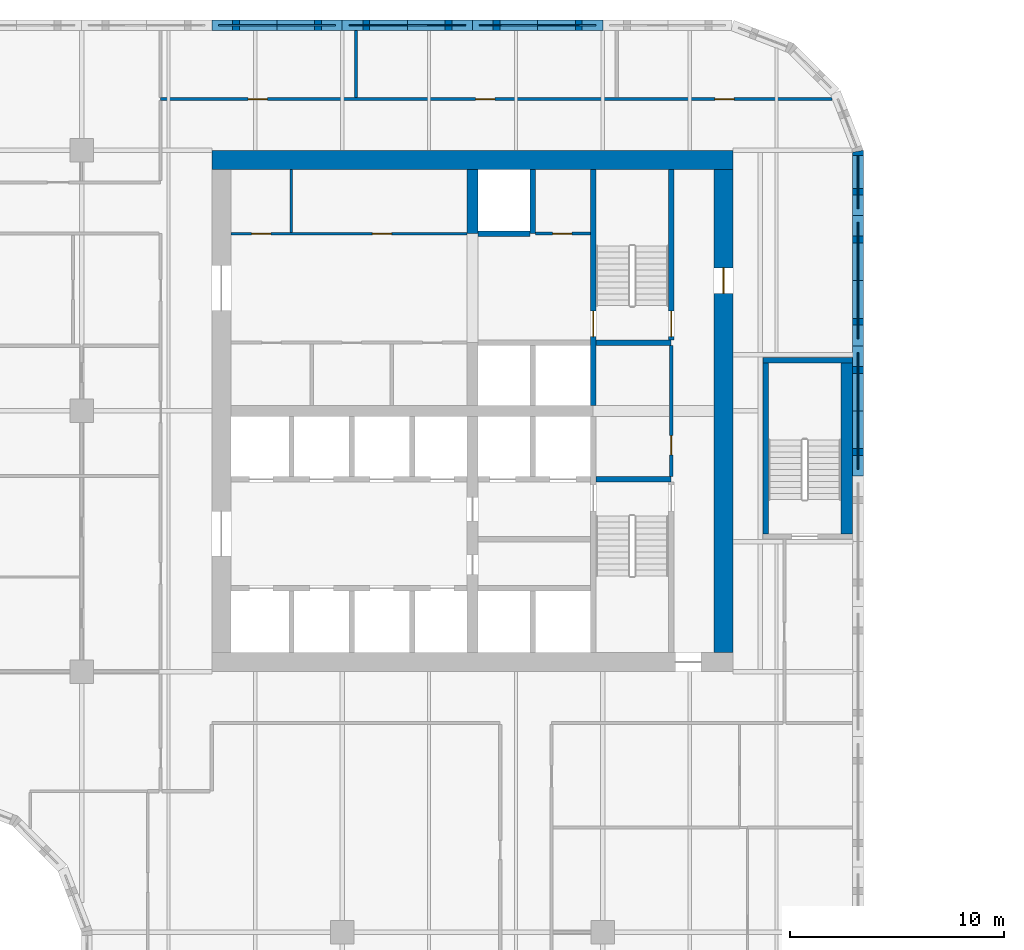
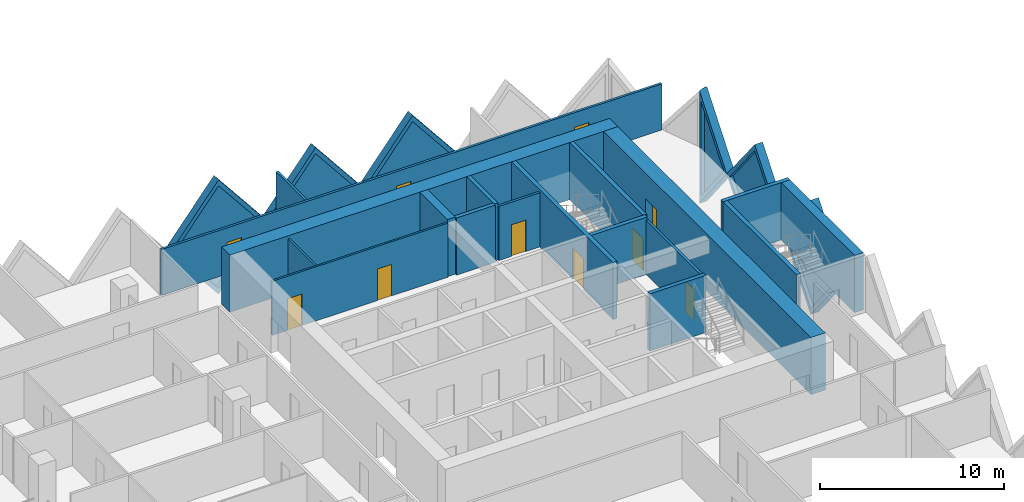
# One storey, part 10 of 20: 24 walls, 10 doors, 6 plates, 16 openings.
"""IFC4 building model written with IfcOpenShell, lengths in metres."""

from ifc_helpers import new_model, si_unit, direction, frame, frame_2d, origin, place, context, subcontext, project, spatial, polyline, rectangle, outline, extrude, faceted_brep, source, transform, mapped, material, layer, layer_set, type_object, element, fill, save


model = new_model("IFC4")

# Units and contexts
model_context = context("Model", 3, precision=1e-05, world=origin(), true_north=direction((0.0, 1.0)))
body_context = subcontext(model_context, "Body", "Model", "MODEL_VIEW")
ifc_project = project(units=[si_unit("LENGTHUNIT", "METRE"), si_unit("AREAUNIT", "SQUARE_METRE"), si_unit("VOLUMEUNIT", "CUBIC_METRE"), si_unit("PLANEANGLEUNIT", "RADIAN"), si_unit("MASSUNIT", "GRAM", prefix="KILO")], contexts=[model_context])

# Site, building, storey
site_placement = place(None, origin())
site = spatial("IfcSite", under=ifc_project, at=site_placement, CompositionType="ELEMENT")
building_placement = place(site_placement, origin())
building = spatial("IfcBuilding", under=site, at=building_placement, Name="Tessera Gate Towers", CompositionType="ELEMENT")
storey_placement = place(building_placement, frame((0.0, 0.0, 52.39990234375)))
storey = spatial("IfcBuildingStorey", under=building, at=storey_placement, Name="L12", CompositionType="ELEMENT", Elevation=52.39990234375)

# Wall, opening, door
ifc_material_1 = material(Name="Concrete C40/50", Category="concrete")
ifc_layer_1 = layer(ifc_material_1, 0.25)
ifc_layer_set_1 = layer_set([ifc_layer_1], Name="CORE ENCLOSURE WALL 250")
wall_type_1 = type_object("IfcWallType", Name="CORE ENCLOSURE WALL 250", PredefinedType="SOLIDWALL", material=ifc_layer_set_1)
wall_1_placement = place(storey_placement, frame((48.35009765625, 47.89990234375, 0.0), z_axis=(0.0, 0.0, 1.0), x_axis=(0.0, -1.0, 0.0)))
wall_1 = element("IfcWall", 1, at=wall_1_placement, inside=storey, type_object=wall_type_1, Name="L12 shaft and stair enclosure wall", PredefinedType="SOLIDWALL", context=body_context, shape_type="SweptSolid", body=[
    extrude(rectangle(XDim=11.0498046875, YDim=0.25, at=frame_2d((5.52490234375, 0.0))), origin(), (0.0, 0.0, 1.0), 3.800048828125),
])
shared_shape_1 = source(origin(), body_context, "Body", "SweptSolid", [
    extrude(rectangle(XDim=1.199951171875, YDim=2.10009765625, at=frame_2d((0.60009765625, 1.050048828125))), frame((0.0, 0.135009765625, 0.0), z_axis=(0.0, -1.0, 0.0), x_axis=(1.0, 0.0, 0.0)), (0.0, 0.0, 1.0), 0.27001953125),
])
opening_1_placement = place(wall_1_placement, frame((6.625, 0.0, 0.0)))
opening_1 = element("IfcOpeningElement", 2, at=opening_1_placement, cuts=wall_1, Name="Opening SD-ST2-1", PredefinedType="OPENING", context=body_context, shape_type="MappedRepresentation", body=[
    mapped(shared_shape_1, transform((0.0, 0.0, 0.0), scale=1.0)),
])
ifc_material_2 = material(Name="Hollow steel fire door", Category="steel")
door_type_1 = type_object("IfcDoorType", Name="CORE DOOR SD 1200x2100", OperationType="NOTDEFINED", PredefinedType="DOOR", material=ifc_material_2)
shared_shape_2 = source(origin(), body_context, "Body", "SweptSolid", [
    extrude(rectangle(XDim=1.199951171875, YDim=2.10009765625, at=frame_2d((0.60009765625, 1.050048828125))), frame((0.0, 0.02490234375, 0.0), z_axis=(0.0, -1.0, 0.0), x_axis=(1.0, 0.0, 0.0)), (0.0, 0.0, 1.0), 0.050048828125),
])
door_1_placement = place(opening_1_placement, origin())
door_1 = element("IfcDoor", 3, at=door_1_placement, inside=storey, type_object=door_type_1, Name="Stair door", OperationType="SINGLE_SWING_RIGHT", OverallHeight=2.10009765625, OverallWidth=1.199951171875, PredefinedType="DOOR", context=body_context, shape_type="MappedRepresentation", body=[
    mapped(shared_shape_2, transform((0.0, 0.0, 0.0), scale=1.0)),
])
fill(opening_1, door_1)

# Walls
for number, where, z_axis, x_axis, name in (
    (4, (48.47509765625, 33.39990234375, 0.0), (0.0, 0.0, 1.0), (1.0, 0.0, 0.0), "L12 shaft and stair enclosure wall"),
    (5, (48.47509765625, 39.800048828125, 0.0), (0.0, 0.0, 1.0), (1.0, 0.0, 0.0), "L12 shaft and stair enclosure wall"),
):
    element("IfcWall", number, at=place(storey_placement, frame(where, z_axis=z_axis, x_axis=x_axis)), inside=storey, type_object=wall_type_1, Name=name, PredefinedType="SOLIDWALL", context=body_context, shape_type="SweptSolid", body=[
        extrude(rectangle(XDim=3.52490234375, YDim=0.25, at=frame_2d((1.762451171875, 0.0))), origin(), (0.0, 0.0, 1.0), 3.800048828125),
    ])

# Wall, opening, door
wall_2_placement = place(storey_placement, frame((52.0, 39.925048828125, 0.0), z_axis=(0.0, 0.0, 1.0), x_axis=(0.0, 1.0, 0.0)))
wall_2 = element("IfcWall", 6, at=wall_2_placement, inside=storey, type_object=wall_type_1, Name="L12 shaft and stair enclosure wall", PredefinedType="SOLIDWALL", context=body_context, shape_type="SweptSolid", body=[
    extrude(rectangle(XDim=7.974853515625, YDim=0.25, at=frame_2d((3.9873046875, 0.0))), origin(), (0.0, 0.0, 1.0), 3.800048828125),
])
opening_2_placement = place(wall_2_placement, frame((0.14990234375, 0.0, 0.0)))
opening_2 = element("IfcOpeningElement", 7, at=opening_2_placement, cuts=wall_2, Name="Opening SD-ST2-2", PredefinedType="OPENING", context=body_context, shape_type="MappedRepresentation", body=[
    mapped(shared_shape_1, transform((0.0, 0.0, 0.0), scale=1.0)),
])
door_2_placement = place(opening_2_placement, origin())
door_2 = element("IfcDoor", 8, at=door_2_placement, inside=storey, type_object=door_type_1, Name="Stair door", OperationType="SINGLE_SWING_LEFT", OverallHeight=2.10009765625, OverallWidth=1.199951171875, PredefinedType="DOOR", context=body_context, shape_type="MappedRepresentation", body=[
    mapped(shared_shape_2, transform((0.0, 0.0, 0.0), scale=1.0)),
])
fill(opening_2, door_2)

# Walls
wall_3_placement = place(storey_placement, frame((45.52490234375, 44.89990234375, 0.0), z_axis=(0.0, 0.0, 1.0), x_axis=(0.0, 1.0, 0.0)))
element("IfcWall", 9, at=wall_3_placement, inside=storey, type_object=wall_type_1, Name="L12 shaft and stair enclosure wall", PredefinedType="SOLIDWALL", context=body_context, shape_type="SweptSolid", body=[
    extrude(rectangle(XDim=3.0, YDim=0.25, at=frame_2d((1.5, 0.0))), origin(), (0.0, 0.0, 1.0), 3.800048828125),
])
wall_4_placement = place(storey_placement, frame((42.949951171875, 44.89990234375, 0.0), z_axis=(0.0, 0.0, 1.0), x_axis=(1.0, 0.0, 0.0)))
element("IfcWall", 10, at=wall_4_placement, inside=storey, type_object=wall_type_1, Name="L12 shaft and stair enclosure wall", PredefinedType="SOLIDWALL", context=body_context, shape_type="SweptSolid", body=[
    extrude(rectangle(XDim=2.449951171875, YDim=0.25, at=frame_2d((1.22509765625, 0.0))), origin(), (0.0, 0.0, 1.0), 3.800048828125),
])
wall_5_placement = place(storey_placement, frame((56.425048828125, 30.85009765625, 0.0), z_axis=(0.0, 0.0, 1.0), x_axis=(0.0, 1.0, 0.0)))
element("IfcWall", 11, at=wall_5_placement, inside=storey, type_object=wall_type_1, Name="L12 ST5 enclosure wall", PredefinedType="SOLIDWALL", context=body_context, shape_type="SweptSolid", body=[
    extrude(rectangle(XDim=8.0, YDim=0.25, at=frame_2d((4.0, 0.0))), origin(), (0.0, 0.0, 1.0), 3.800048828125),
])
wall_6_placement = place(storey_placement, frame((56.300048828125, 38.97509765625, 0.0), z_axis=(0.0, 0.0, 1.0), x_axis=(1.0, 0.0, 0.0)))
element("IfcWall", 12, at=wall_6_placement, inside=storey, type_object=wall_type_1, Name="L12 ST5 enclosure wall", PredefinedType="SOLIDWALL", context=body_context, shape_type="SweptSolid", body=[
    extrude(rectangle(XDim=4.199951171875, YDim=0.25, at=frame_2d((2.10009765625, 0.0))), origin(), (0.0, 0.0, 1.0), 3.800048828125),
])
ifc_material_3 = material(Name="Concrete C40/50", Category="concrete")
ifc_layer_2 = layer(ifc_material_3, 0.550048828125)
ifc_layer_set_2 = layer_set([ifc_layer_2], Name="CORE ENCLOSURE WALL 550")
wall_type_2 = type_object("IfcWallType", Name="CORE ENCLOSURE WALL 550", PredefinedType="SOLIDWALL", material=ifc_layer_set_2)
wall_7_placement = place(storey_placement, frame((60.22509765625, 38.85009765625, 0.0), z_axis=(0.0, 0.0, 1.0), x_axis=(0.0, -1.0, 0.0)))
element("IfcWall", 13, at=wall_7_placement, inside=storey, type_object=wall_type_2, Name="L12 ST5 enclosure wall", PredefinedType="SOLIDWALL", context=body_context, shape_type="SweptSolid", body=[
    extrude(rectangle(XDim=8.0, YDim=0.550048828125, at=frame_2d((4.0, 0.0))), origin(), (0.0, 0.0, 1.0), 3.800048828125),
])

# Wall, openings, doors
ifc_material_4 = material(Name="Gypsum board on steel studs", Category="steel")
ifc_layer_3 = layer(ifc_material_4, 0.1201171875)
ifc_layer_set_3 = layer_set([ifc_layer_3], Name="CORE PARTITION 120")
wall_type_3 = type_object("IfcWallType", Name="CORE PARTITION 120", PredefinedType="PARTITIONING", material=ifc_layer_set_3)
wall_8_placement = place(storey_placement, frame((31.39990234375, 44.89990234375, 0.0), z_axis=(0.0, 0.0, 1.0), x_axis=(1.0, 0.0, 0.0)))
wall_8 = element("IfcWall", 14, at=wall_8_placement, inside=storey, type_object=wall_type_3, Name="L12 core partition", PredefinedType="PARTITIONING", context=body_context, shape_type="SweptSolid", body=[
    extrude(rectangle(XDim=11.050048828125, YDim=0.1201171875, at=frame_2d((5.52490234375, 0.0))), origin(), (0.0, 0.0, 1.0), 3.60009765625),
])
shared_shape_3 = source(origin(), body_context, "Body", "SweptSolid", [
    extrude(rectangle(XDim=0.89990234375, YDim=2.10009765625, at=frame_2d((0.449951171875, 1.050048828125))), frame((0.0, 0.070068359375, 0.0), z_axis=(0.0, -1.0, 0.0), x_axis=(1.0, 0.0, 0.0)), (0.0, 0.0, 1.0), 0.14013671875),
])
opening_3_placement = place(wall_8_placement, frame((0.96240234375, 0.0, 0.0)))
opening_3 = element("IfcOpeningElement", 15, at=opening_3_placement, cuts=wall_8, Name="Opening RD-T1-09-10", PredefinedType="OPENING", context=body_context, shape_type="MappedRepresentation", body=[
    mapped(shared_shape_3, transform((0.0, 0.0, 0.0), scale=1.0)),
])
opening_4_placement = place(wall_8_placement, frame((6.612548828125, 0.0, 0.0)))
opening_4 = element("IfcOpeningElement", 16, at=opening_4_placement, cuts=wall_8, Name="Opening RD-T1-09-11", PredefinedType="OPENING", context=body_context, shape_type="MappedRepresentation", body=[
    mapped(shared_shape_3, transform((0.0, 0.0, 0.0), scale=1.0)),
])
ifc_material_5 = material(Name="Hollow steel fire door", Category="steel")
door_type_2 = type_object("IfcDoorType", Name="CORE DOOR RD 900x2100", OperationType="NOTDEFINED", PredefinedType="DOOR", material=ifc_material_5)
shared_shape_4 = source(origin(), body_context, "Body", "SweptSolid", [
    extrude(rectangle(XDim=0.89990234375, YDim=2.10009765625, at=frame_2d((0.449951171875, 1.050048828125))), frame((0.0, 0.02490234375, 0.0), z_axis=(0.0, -1.0, 0.0), x_axis=(1.0, 0.0, 0.0)), (0.0, 0.0, 1.0), 0.050048828125),
])
door_3_placement = place(opening_3_placement, origin())
door_3 = element("IfcDoor", 17, at=door_3_placement, inside=storey, type_object=door_type_2, Name="Core room door", OperationType="SINGLE_SWING_LEFT", OverallHeight=2.10009765625, OverallWidth=0.89990234375, PredefinedType="DOOR", context=body_context, shape_type="MappedRepresentation", body=[
    mapped(shared_shape_4, transform((0.0, 0.0, 0.0), scale=1.0)),
])
fill(opening_3, door_3)
door_4_placement = place(opening_4_placement, origin())
door_4 = element("IfcDoor", 18, at=door_4_placement, inside=storey, type_object=door_type_2, Name="Core room door", OperationType="SINGLE_SWING_RIGHT", OverallHeight=2.10009765625, OverallWidth=0.89990234375, PredefinedType="DOOR", context=body_context, shape_type="MappedRepresentation", body=[
    mapped(shared_shape_4, transform((0.0, 0.0, 0.0), scale=1.0)),
])
fill(opening_4, door_4)

# Walls
wall_9_placement = place(storey_placement, frame((34.22509765625, 44.9599609375, 0.0), z_axis=(0.0, 0.0, 1.0), x_axis=(0.0, 1.0, 0.0)))
element("IfcWall", 19, at=wall_9_placement, inside=storey, type_object=wall_type_3, Name="L12 core partition", PredefinedType="PARTITIONING", context=body_context, shape_type="SweptSolid", body=[
    extrude(rectangle(XDim=2.93994140625, YDim=0.1201171875, at=frame_2d((1.469970703125, 0.0))), origin(), (0.0, 0.0, 1.0), 3.60009765625),
])
ifc_material_6 = material(Name="Concrete C70/85", Category="concrete")
ifc_layer_4 = layer(ifc_material_6, 0.89990234375)
ifc_layer_set_4 = layer_set([ifc_layer_4], Name="CORE SHEAR WALL 900 C70/85")
wall_type_4 = type_object("IfcWallType", Name="CORE SHEAR WALL 900 C70/85", PredefinedType="SHEAR", material=ifc_layer_set_4)
wall_10_placement = place(storey_placement, frame((30.5, 48.35009765625, 0.0), z_axis=(0.0, 0.0, 1.0), x_axis=(1.0, 0.0, 0.0)))
element("IfcWall", 20, at=wall_10_placement, inside=storey, type_object=wall_type_4, Name="Core wall N L12", PredefinedType="SHEAR", context=body_context, shape_type="SweptSolid", body=[
    extrude(rectangle(XDim=24.39990234375, YDim=0.89990234375, at=frame_2d((12.199951171875, 0.0))), origin(), (0.0, 0.0, 1.0), 3.800048828125),
])

# Wall, opening, door
wall_11_placement = place(storey_placement, frame((54.449951171875, 47.89990234375, 0.0), z_axis=(0.0, 0.0, 1.0), x_axis=(0.0, -1.0, 0.0)))
wall_11 = element("IfcWall", 21, at=wall_11_placement, inside=storey, type_object=wall_type_4, Name="Core wall E L12", PredefinedType="SHEAR", context=body_context, shape_type="SweptSolid", body=[
    extrude(rectangle(XDim=22.599853515625, YDim=0.89990234375, at=frame_2d((11.2998046875, 0.0))), origin(), (0.0, 0.0, 1.0), 3.800048828125),
])
shared_shape_5 = source(origin(), body_context, "Body", "SweptSolid", [
    extrude(rectangle(XDim=1.199951171875, YDim=2.10009765625, at=frame_2d((0.60009765625, 1.050048828125))), frame((0.0, 0.4599609375, 0.0), z_axis=(0.0, -1.0, 0.0), x_axis=(1.0, 0.0, 0.0)), (0.0, 0.0, 1.0), 0.919921875),
])
opening_5_placement = place(wall_11_placement, frame((4.60009765625, 0.0, 0.0)))
opening_5 = element("IfcOpeningElement", 22, at=opening_5_placement, cuts=wall_11, Name="Opening ED-T1-09-04", PredefinedType="OPENING", context=body_context, shape_type="MappedRepresentation", body=[
    mapped(shared_shape_5, transform((0.0, 0.0, 0.0), scale=1.0)),
])
ifc_material_7 = material(Name="Hollow steel fire door", Category="steel")
door_type_3 = type_object("IfcDoorType", Name="CORE DOOR ED 1200x2100", OperationType="NOTDEFINED", PredefinedType="DOOR", material=ifc_material_7)
door_5_placement = place(opening_5_placement, origin())
door_5 = element("IfcDoor", 23, at=door_5_placement, inside=storey, type_object=door_type_3, Name="Core exit door", OperationType="SINGLE_SWING_LEFT", OverallHeight=2.10009765625, OverallWidth=1.199951171875, PredefinedType="DOOR", context=body_context, shape_type="MappedRepresentation", body=[
    mapped(shared_shape_2, transform((0.0, 0.0, 0.0), scale=1.0)),
])
fill(opening_5, door_5)

# Wall
ifc_material_8 = material(Name="Concrete C70/85", Category="concrete")
ifc_layer_5 = layer(ifc_material_8, 0.5)
ifc_layer_set_5 = layer_set([ifc_layer_5], Name="CORE SPINE WALL 500 C70/85")
wall_type_5 = type_object("IfcWallType", Name="CORE SPINE WALL 500 C70/85", PredefinedType="SHEAR", material=ifc_layer_set_5)
wall_12_placement = place(storey_placement, frame((42.699951171875, 44.89990234375, 0.0), z_axis=(0.0, 0.0, 1.0), x_axis=(0.0, 1.0, 0.0)))
element("IfcWall", 24, at=wall_12_placement, inside=storey, type_object=wall_type_5, Name="Core wall spine L12", PredefinedType="SHEAR", context=body_context, shape_type="SweptSolid", body=[
    extrude(rectangle(XDim=3.0, YDim=0.5, at=frame_2d((1.5, 0.0))), origin(), (0.0, 0.0, 1.0), 3.800048828125),
])

# Wall, openings, doors
ifc_material_9 = material(Name="Gypsum board on steel studs, mineral wool", Category="steel")
ifc_layer_6 = layer(ifc_material_9, 0.14990234375)
ifc_layer_set_6 = layer_set([ifc_layer_6], Name="CORRIDOR WALL 150")
wall_type_6 = type_object("IfcWallType", Name="CORRIDOR WALL 150", PredefinedType="PARTITIONING", material=ifc_layer_set_6)
wall_13_placement = place(storey_placement, frame((28.10009765625, 51.199951171875, 0.0), z_axis=(0.0, 0.0, 1.0), x_axis=(1.0, 0.0, 0.0)))
wall_13 = element("IfcWall", 25, at=wall_13_placement, inside=storey, type_object=wall_type_6, Name="T1-L12-PW-054", PredefinedType="PARTITIONING", context=body_context, shape_type="SweptSolid", body=[
    extrude(rectangle(XDim=31.438232421875, YDim=0.14990234375, at=frame_2d((15.71923828125, 0.0))), origin(), (0.0, 0.0, 1.0), 3.067138671875),
])
shared_shape_6 = source(origin(), body_context, "Body", "SweptSolid", [
    extrude(rectangle(XDim=0.89990234375, YDim=2.10009765625, at=frame_2d((0.449951171875, 1.050048828125))), frame((0.0, 0.0849609375, 0.0), z_axis=(0.0, -1.0, 0.0), x_axis=(1.0, 0.0, 0.0)), (0.0, 0.0, 1.0), 0.169921875),
])
opening_6_placement = place(wall_13_placement, frame((4.10009765625, 0.0, 0.0)))
opening_6 = element("IfcOpeningElement", 26, at=opening_6_placement, cuts=wall_13, Name="Opening D890FD60-A04-03", PredefinedType="OPENING", context=body_context, shape_type="MappedRepresentation", body=[
    mapped(shared_shape_6, transform((0.0, 0.0, 0.0), scale=1.0)),
])
opening_7_placement = place(wall_13_placement, frame((25.950927734375, 0.0, 0.0)))
opening_7 = element("IfcOpeningElement", 27, at=opening_7_placement, cuts=wall_13, Name="Opening D890FD60-A04-04", PredefinedType="OPENING", context=body_context, shape_type="MappedRepresentation", body=[
    mapped(shared_shape_6, transform((0.0, 0.0, 0.0), scale=1.0)),
])
opening_8_placement = place(wall_13_placement, frame((14.75, 0.0, 0.0)))
opening_8 = element("IfcOpeningElement", 28, at=opening_8_placement, cuts=wall_13, Name="Opening D890FD60-A04-06", PredefinedType="OPENING", context=body_context, shape_type="MappedRepresentation", body=[
    mapped(shared_shape_6, transform((0.0, 0.0, 0.0), scale=1.0)),
])
ifc_material_10 = material(Name="Timber door leaf in steel frame", Category="steel")
door_type_4 = type_object("IfcDoorType", Name="CORRIDOR DOOR 900 FD60", OperationType="NOTDEFINED", PredefinedType="DOOR", material=ifc_material_10)
door_6_placement = place(opening_6_placement, origin())
door_6 = element("IfcDoor", 29, at=door_6_placement, inside=storey, type_object=door_type_4, Name="T1-L12-PD-023", OperationType="SINGLE_SWING_LEFT", OverallHeight=2.10009765625, OverallWidth=0.89990234375, PredefinedType="DOOR", context=body_context, shape_type="MappedRepresentation", body=[
    mapped(shared_shape_4, transform((0.0, 0.0, 0.0), scale=1.0)),
])
fill(opening_6, door_6)
door_7_placement = place(opening_7_placement, origin())
door_7 = element("IfcDoor", 30, at=door_7_placement, inside=storey, type_object=door_type_4, Name="T1-L12-PD-025", OperationType="SINGLE_SWING_LEFT", OverallHeight=2.10009765625, OverallWidth=0.89990234375, PredefinedType="DOOR", context=body_context, shape_type="MappedRepresentation", body=[
    mapped(shared_shape_4, transform((0.0, 0.0, 0.0), scale=1.0)),
])
fill(opening_7, door_7)
door_8_placement = place(opening_8_placement, origin())
door_8 = element("IfcDoor", 31, at=door_8_placement, inside=storey, type_object=door_type_4, Name="T1-L12-PD-028", OperationType="SINGLE_SWING_LEFT", OverallHeight=2.10009765625, OverallWidth=0.89990234375, PredefinedType="DOOR", context=body_context, shape_type="MappedRepresentation", body=[
    mapped(shared_shape_4, transform((0.0, 0.0, 0.0), scale=1.0)),
])
fill(opening_8, door_8)

# Wall, opening, door
ifc_material_11 = material(Name="Gypsum board on steel studs", Category="steel")
ifc_layer_7 = layer(ifc_material_11, 0.14990234375)
ifc_layer_set_7 = layer_set([ifc_layer_7], Name="SERVICE ROOM WALL 150")
wall_type_7 = type_object("IfcWallType", Name="SERVICE ROOM WALL 150", PredefinedType="PARTITIONING", material=ifc_layer_set_7)
wall_14_placement = place(storey_placement, frame((52.0, 33.52490234375, 0.0), z_axis=(0.0, 0.0, 1.0), x_axis=(0.0, 1.0, 0.0)))
wall_14 = element("IfcWall", 32, at=wall_14_placement, inside=storey, type_object=wall_type_7, Name="L12 service room wall", PredefinedType="PARTITIONING", context=body_context, shape_type="SweptSolid", body=[
    extrude(rectangle(XDim=6.150146484375, YDim=0.14990234375, at=frame_2d((3.0751953125, 0.0))), origin(), (0.0, 0.0, 1.0), 3.60009765625),
])
opening_9_placement = place(wall_14_placement, frame((1.02490234375, 0.0, 0.0)))
opening_9 = element("IfcOpeningElement", 33, at=opening_9_placement, cuts=wall_14, Name="Opening RD-T1-09-12", PredefinedType="OPENING", context=body_context, shape_type="MappedRepresentation", body=[
    mapped(shared_shape_6, transform((0.0, 0.0, 0.0), scale=1.0)),
])
door_9_placement = place(opening_9_placement, origin())
door_9 = element("IfcDoor", 34, at=door_9_placement, inside=storey, type_object=door_type_2, Name="Core room door", OperationType="SINGLE_SWING_LEFT", OverallHeight=2.10009765625, OverallWidth=0.89990234375, PredefinedType="DOOR", context=body_context, shape_type="MappedRepresentation", body=[
    mapped(shared_shape_4, transform((0.0, 0.0, 0.0), scale=1.0)),
])
fill(opening_9, door_9)

wall_15_placement = place(storey_placement, frame((45.64990234375, 44.89990234375, 0.0), z_axis=(0.0, 0.0, 1.0), x_axis=(1.0, 0.0, 0.0)))
wall_15 = element("IfcWall", 35, at=wall_15_placement, inside=storey, type_object=wall_type_7, Name="L12 service room wall", PredefinedType="PARTITIONING", context=body_context, shape_type="SweptSolid", body=[
    extrude(rectangle(XDim=2.5751953125, YDim=0.14990234375, at=frame_2d((1.28759765625, 0.0))), origin(), (0.0, 0.0, 1.0), 3.60009765625),
])
opening_10_placement = place(wall_15_placement, frame((0.800048828125, 0.0, 0.0)))
opening_10 = element("IfcOpeningElement", 36, at=opening_10_placement, cuts=wall_15, Name="Opening RD-T1-09-13", PredefinedType="OPENING", context=body_context, shape_type="MappedRepresentation", body=[
    mapped(shared_shape_6, transform((0.0, 0.0, 0.0), scale=1.0)),
])
door_10_placement = place(opening_10_placement, origin())
door_10 = element("IfcDoor", 37, at=door_10_placement, inside=storey, type_object=door_type_2, Name="Core room door", OperationType="SINGLE_SWING_LEFT", OverallHeight=2.10009765625, OverallWidth=0.89990234375, PredefinedType="DOOR", context=body_context, shape_type="MappedRepresentation", body=[
    mapped(shared_shape_4, transform((0.0, 0.0, 0.0), scale=1.0)),
])
fill(opening_10, door_10)

# Wall
ifc_material_12 = material(Name="Gypsum board on steel studs, mineral wool", Category="steel")
ifc_layer_8 = layer(ifc_material_12, 0.14990234375)
ifc_layer_set_8 = layer_set([ifc_layer_8], Name="TENANCY WALL 150")
wall_type_8 = type_object("IfcWallType", Name="TENANCY WALL 150", PredefinedType="PARTITIONING", material=ifc_layer_set_8)
wall_16_placement = place(storey_placement, frame((37.25, 51.27587890625, 0.0), z_axis=(0.0, 0.0, 1.0), x_axis=(0.0, 1.0, 0.0)))
element("IfcWall", 38, at=wall_16_placement, inside=storey, type_object=wall_type_8, Name="T1-L12-PW-056", PredefinedType="PARTITIONING", context=body_context, shape_type="SweptSolid", body=[
    extrude(rectangle(XDim=3.1240234375, YDim=0.14990234375, at=frame_2d((1.56201171875, 0.0))), origin(), (0.0, 0.0, 1.0), 3.067138671875),
])

# Wall, opening, plate
ifc_material_13 = material(Name="Precast concrete C60/75 white", Category="concrete")
ifc_layer_9 = layer(ifc_material_13, 0.5)
ifc_layer_set_9 = layer_set([ifc_layer_9], Name="TS1 tessera")
wall_type_9 = type_object("IfcWallType", Name="TS1 tessera", PredefinedType="SOLIDWALL", material=ifc_layer_set_9)
shared_shape_7 = source(origin(), body_context, "Body", "Brep", [
    faceted_brep([(3.050048828125, -0.25, 0.0), (6.099853515625, -0.25, 3.799560546875), (6.099853515625, -0.25, 3.800048828125), (3.050048828125, -0.25, 7.599853515625), (0.0, -0.25, 3.7998046875), (0.0, 0.25, 3.7998046875), (3.050048828125, 0.25, 7.599853515625), (6.099853515625, 0.25, 3.800048828125), (6.099853515625, 0.25, 3.799560546875), (3.050048828125, 0.25, 0.0)], [[[0, 1, 2, 3, 4]], [[5, 6, 7, 8, 9]], [[9, 8, 1, 0]], [[7, 6, 3, 2]], [[6, 5, 4, 3]], [[5, 9, 0, 4]], [[1, 8, 7, 2]]]),
])
wall_17_placement = place(storey_placement, frame((60.75, 33.550048828125, -3.7998046875), z_axis=(0.0, 0.0, 1.0), x_axis=(0.0, 1.0, 0.0)))
wall_17 = element("IfcWall", 39, at=wall_17_placement, inside=storey, type_object=wall_type_9, Name="Precast tessera T1 TS1-0169", PredefinedType="SOLIDWALL", context=body_context, shape_type="MappedRepresentation", body=[
    mapped(shared_shape_7, transform((0.0, 0.0, 0.0), scale=1.0)),
])
shared_shape_8 = source(origin(), body_context, "Body", "SweptSolid", [
    extrude(outline(polyline([(3.050048828125, 0.3994140625), (5.779541015625, 3.7998046875), (3.050048828125, 7.200439453125), (0.320556640625, 3.7998046875), (3.050048828125, 0.3994140625)])), frame((0.0, 0.260009765625, 0.0), z_axis=(0.0, -1.0, 0.0), x_axis=(1.0, 0.0, 0.0)), (0.0, 0.0, 1.0), 0.52001953125),
])
opening_11_placement = place(wall_17_placement, origin())
opening_11 = element("IfcOpeningElement", 40, at=opening_11_placement, cuts=wall_17, Name="Opening T1-PL2-0341", PredefinedType="OPENING", context=body_context, shape_type="MappedRepresentation", body=[
    mapped(shared_shape_8, transform((0.0, 0.0, 0.0), scale=1.0)),
])
ifc_material_14 = material(Name="Low-e laminated glass", Category="glass")
ifc_layer_10 = layer(ifc_material_14, 0.06005859375)
ifc_layer_set_10 = layer_set([ifc_layer_10], Name="PL2 rhombic pane")
plate_type = type_object("IfcPlateType", Name="PL2 rhombic pane", PredefinedType="SHEET", material=ifc_layer_set_10)
shared_shape_9 = source(origin(), body_context, "Body", "SweptSolid", [
    extrude(outline(polyline([(3.050048828125, 0.3994140625), (5.779541015625, 3.7998046875), (3.050048828125, 7.200439453125), (0.320556640625, 3.7998046875), (3.050048828125, 0.3994140625)])), frame((0.0, 0.030029296875, 0.0), z_axis=(0.0, -1.0, 0.0), x_axis=(1.0, 0.0, 0.0)), (0.0, 0.0, 1.0), 0.06005859375),
])
plate_1_placement = place(opening_11_placement, origin())
plate_1 = element("IfcPlate", 41, at=plate_1_placement, inside=storey, type_object=plate_type, Name="Glass pane T1 PL2-0341", PredefinedType="SHEET", context=body_context, shape_type="MappedRepresentation", body=[
    mapped(shared_shape_9, transform((0.0, 0.0, 0.0), scale=1.0)),
])
fill(opening_11, plate_1)

wall_18_placement = place(storey_placement, frame((42.699951171875, 54.64990234375, -3.7998046875), z_axis=(0.0, 0.0, 1.0), x_axis=(-1.0, 0.0, 0.0)))
wall_18 = element("IfcWall", 42, at=wall_18_placement, inside=storey, type_object=wall_type_9, Name="Precast tessera T1 TS1-0173", PredefinedType="SOLIDWALL", context=body_context, shape_type="MappedRepresentation", body=[
    mapped(shared_shape_7, transform((0.0, 0.0, 0.0), scale=1.0)),
])
opening_12_placement = place(wall_18_placement, origin())
opening_12 = element("IfcOpeningElement", 43, at=opening_12_placement, cuts=wall_18, Name="Opening T1-PL2-0349", PredefinedType="OPENING", context=body_context, shape_type="MappedRepresentation", body=[
    mapped(shared_shape_8, transform((0.0, 0.0, 0.0), scale=1.0)),
])
plate_2_placement = place(opening_12_placement, origin())
plate_2 = element("IfcPlate", 44, at=plate_2_placement, inside=storey, type_object=plate_type, Name="Glass pane T1 PL2-0349", PredefinedType="SHEET", context=body_context, shape_type="MappedRepresentation", body=[
    mapped(shared_shape_9, transform((0.0, 0.0, 0.0), scale=1.0)),
])
fill(opening_12, plate_2)

shared_shape_10 = source(origin(), body_context, "Body", "SweptSolid", [
    extrude(outline(polyline([(3.050048828125, 0.0), (6.10009765625, 3.7998046875), (3.050048828125, 7.599853515625), (0.0, 3.7998046875), (3.050048828125, 0.0)])), frame((0.0, 0.25, 0.0), z_axis=(0.0, -1.0, 0.0), x_axis=(1.0, 0.0, 0.0)), (0.0, 0.0, 1.0), 0.5),
])
wall_19_placement = place(storey_placement, frame((60.75, 39.64990234375, -3.7998046875), z_axis=(0.0, 0.0, 1.0), x_axis=(0.0, 1.0, 0.0)))
wall_19 = element("IfcWall", 45, at=wall_19_placement, inside=storey, type_object=wall_type_9, Name="Precast tessera T1 TS1-0170", PredefinedType="SOLIDWALL", context=body_context, shape_type="MappedRepresentation", body=[
    mapped(shared_shape_10, transform((0.0, 0.0, 0.0), scale=1.0)),
])
opening_13_placement = place(wall_19_placement, origin())
opening_13 = element("IfcOpeningElement", 46, at=opening_13_placement, cuts=wall_19, Name="Opening T1-PL2-0342", PredefinedType="OPENING", context=body_context, shape_type="MappedRepresentation", body=[
    mapped(shared_shape_8, transform((0.0, 0.0, 0.0), scale=1.0)),
])
plate_3_placement = place(opening_13_placement, origin())
plate_3 = element("IfcPlate", 47, at=plate_3_placement, inside=storey, type_object=plate_type, Name="Glass pane T1 PL2-0342", PredefinedType="SHEET", context=body_context, shape_type="MappedRepresentation", body=[
    mapped(shared_shape_9, transform((0.0, 0.0, 0.0), scale=1.0)),
])
fill(opening_13, plate_3)

wall_20_placement = place(storey_placement, frame((48.800048828125, 54.64990234375, -3.7998046875), z_axis=(0.0, 0.0, 1.0), x_axis=(-1.0, 0.0, 0.0)))
wall_20 = element("IfcWall", 48, at=wall_20_placement, inside=storey, type_object=wall_type_9, Name="Precast tessera T1 TS1-0172", PredefinedType="SOLIDWALL", context=body_context, shape_type="MappedRepresentation", body=[
    mapped(shared_shape_10, transform((0.0, 0.0, 0.0), scale=1.0)),
])
opening_14_placement = place(wall_20_placement, origin())
opening_14 = element("IfcOpeningElement", 49, at=opening_14_placement, cuts=wall_20, Name="Opening T1-PL2-0348", PredefinedType="OPENING", context=body_context, shape_type="MappedRepresentation", body=[
    mapped(shared_shape_8, transform((0.0, 0.0, 0.0), scale=1.0)),
])
plate_4_placement = place(opening_14_placement, origin())
plate_4 = element("IfcPlate", 50, at=plate_4_placement, inside=storey, type_object=plate_type, Name="Glass pane T1 PL2-0348", PredefinedType="SHEET", context=body_context, shape_type="MappedRepresentation", body=[
    mapped(shared_shape_9, transform((0.0, 0.0, 0.0), scale=1.0)),
])
fill(opening_14, plate_4)

wall_21_placement = place(storey_placement, frame((36.60009765625, 54.64990234375, -3.7998046875), z_axis=(0.0, 0.0, 1.0), x_axis=(-1.0, 0.0, 0.0)))
wall_21 = element("IfcWall", 51, at=wall_21_placement, inside=storey, type_object=wall_type_9, Name="Precast tessera T1 TS1-0174", PredefinedType="SOLIDWALL", context=body_context, shape_type="MappedRepresentation", body=[
    mapped(shared_shape_10, transform((0.0, 0.0, 0.0), scale=1.0)),
])
opening_15_placement = place(wall_21_placement, origin())
opening_15 = element("IfcOpeningElement", 52, at=opening_15_placement, cuts=wall_21, Name="Opening T1-PL2-0350", PredefinedType="OPENING", context=body_context, shape_type="MappedRepresentation", body=[
    mapped(shared_shape_8, transform((0.0, 0.0, 0.0), scale=1.0)),
])
plate_5_placement = place(opening_15_placement, origin())
plate_5 = element("IfcPlate", 53, at=plate_5_placement, inside=storey, type_object=plate_type, Name="Glass pane T1 PL2-0350", PredefinedType="SHEET", context=body_context, shape_type="MappedRepresentation", body=[
    mapped(shared_shape_9, transform((0.0, 0.0, 0.0), scale=1.0)),
])
fill(opening_15, plate_5)

ifc_material_15 = material(Name="Precast concrete C60/75 white", Category="concrete")
ifc_layer_11 = layer(ifc_material_15, 0.5)
ifc_layer_set_11 = layer_set([ifc_layer_11], Name="TS3 corner tessera")
wall_type_10 = type_object("IfcWallType", Name="TS3 corner tessera", PredefinedType="SOLIDWALL", material=ifc_layer_set_11)
shared_shape_11 = source(origin(), body_context, "Body", "Brep", [
    faceted_brep([(3.00341796875, -0.25, 0.0), (3.050048828125, -0.25, 0.06005859375), (3.050048828125, -0.25, 7.539794921875), (3.00341796875, -0.25, 7.599853515625), (0.0, -0.25, 3.7998046875), (0.0, 0.25, 3.7998046875), (2.956787109375, 0.25, 7.541015625), (2.956787109375, 0.25, 0.058837890625), (3.00341796875, 0.000244140625, 0.0), (3.00341796875, 0.000244140625, 7.599853515625)], [[[0, 1, 2, 3, 4]], [[5, 6, 7]], [[1, 0, 8]], [[9, 3, 2]], [[6, 5, 4, 3, 9]], [[5, 7, 8, 0, 4]], [[1, 8, 7, 6, 9, 2]]]),
])
wall_22_placement = place(storey_placement, frame((60.75, 45.75, -3.7998046875), z_axis=(0.0, 0.0, 1.0), x_axis=(0.0, 1.0, 0.0)))
wall_22 = element("IfcWall", 54, at=wall_22_placement, inside=storey, type_object=wall_type_10, Name="Precast corner tessera T1 TS3-0245", PredefinedType="SOLIDWALL", context=body_context, shape_type="MappedRepresentation", body=[
    mapped(shared_shape_11, transform((0.0, 0.0, 0.0), scale=1.0)),
])
shared_shape_12 = source(origin(), body_context, "Body", "SweptSolid", [
    extrude(outline(polyline([(2.803466796875, 6.943603515625), (0.318603515625, 3.7998046875), (2.803466796875, 0.656005859375), (2.803466796875, 6.943603515625)])), frame((0.0, 0.260009765625, 0.0), z_axis=(0.0, -1.0, 0.0), x_axis=(1.0, 0.0, 0.0)), (0.0, 0.0, 1.0), 0.52001953125),
])
opening_16_placement = place(wall_22_placement, origin())
opening_16 = element("IfcOpeningElement", 55, at=opening_16_placement, cuts=wall_22, Name="Opening T1-PL2-0343", PredefinedType="OPENING", context=body_context, shape_type="MappedRepresentation", body=[
    mapped(shared_shape_12, transform((0.0, 0.0, 0.0), scale=1.0)),
])
shared_shape_13 = source(origin(), body_context, "Body", "SweptSolid", [
    extrude(outline(polyline([(2.803466796875, 6.943603515625), (0.318603515625, 3.7998046875), (2.803466796875, 0.656005859375), (2.803466796875, 6.943603515625)])), frame((0.0, 0.030029296875, 0.0), z_axis=(0.0, -1.0, 0.0), x_axis=(1.0, 0.0, 0.0)), (0.0, 0.0, 1.0), 0.06005859375),
])
plate_6_placement = place(opening_16_placement, origin())
plate_6 = element("IfcPlate", 56, at=plate_6_placement, inside=storey, type_object=plate_type, Name="Glass pane T1 PL2-0343", PredefinedType="SHEET", context=body_context, shape_type="MappedRepresentation", body=[
    mapped(shared_shape_13, transform((0.0, 0.0, 0.0), scale=1.0)),
])
fill(opening_16, plate_6)

save(model, "model.ifc")
